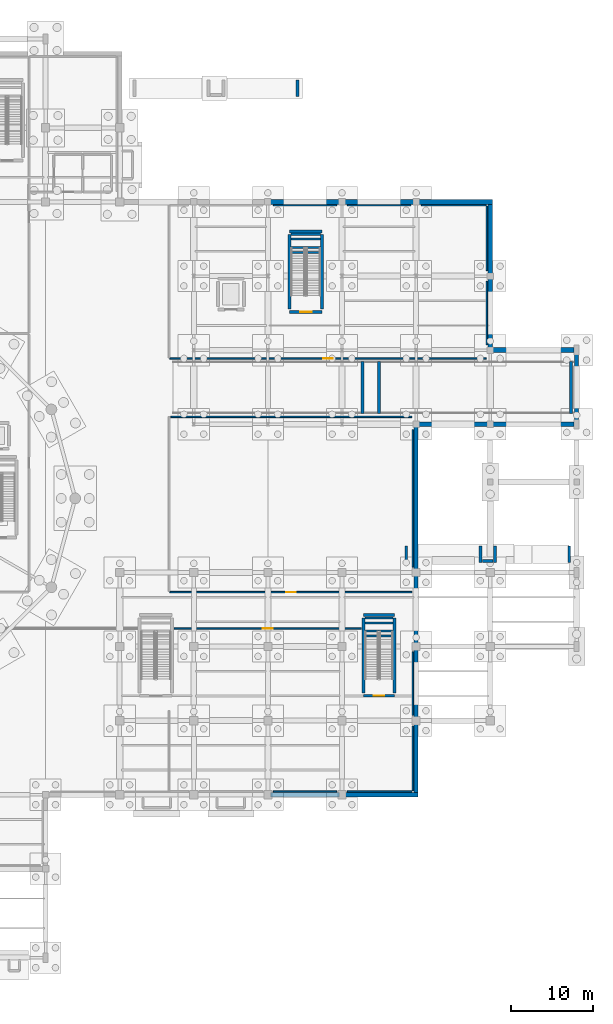
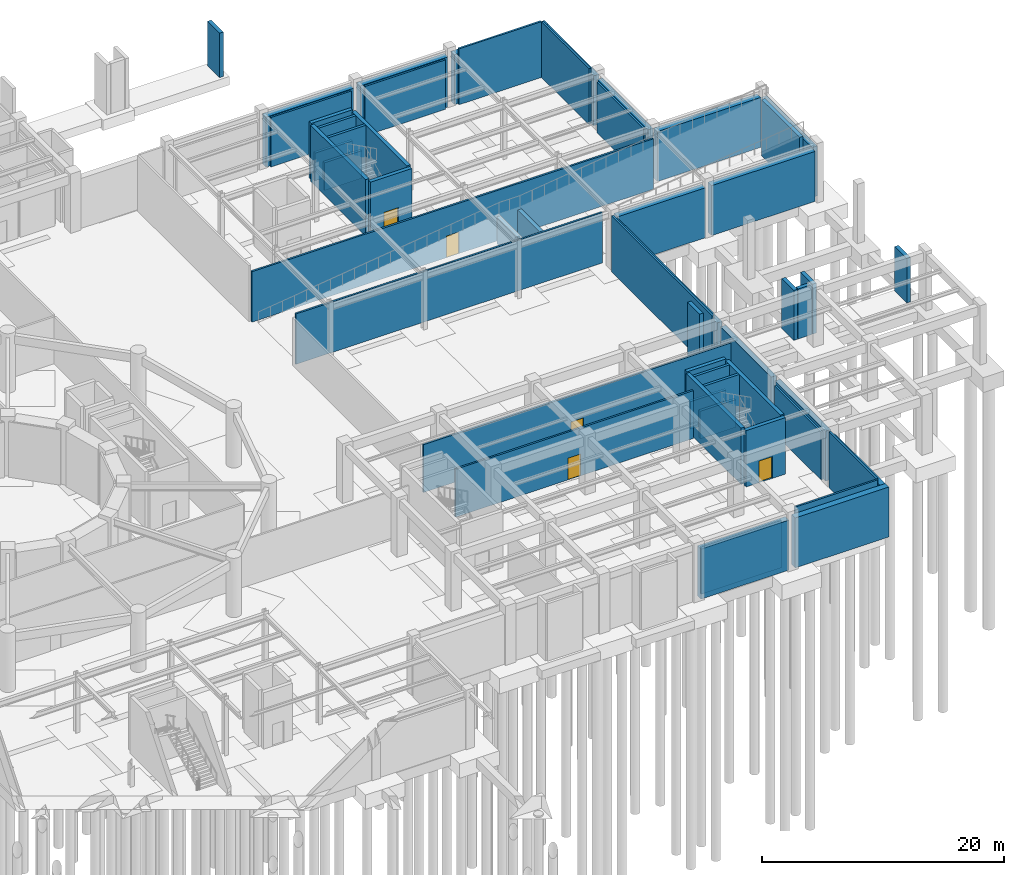
# One storey, part 23 of 36: 54 walls, 5 doors, 5 openings.
"""IFC4 building model written with IfcOpenShell, lengths in metres."""

from ifc_helpers import new_model, si_unit, direction, frame, frame_2d, origin, place, context, subcontext, project, spatial, rectangle, extrude, material, layer, layer_set, type_object, element, fill, save


model = new_model("IFC4")

# Units and contexts
model_context = context("Model", 3, precision=1e-05, world=origin(), true_north=direction((0.0, 1.0)))
body_context = subcontext(model_context, "Body", "Model", "MODEL_VIEW")
ifc_project = project(units=[si_unit("LENGTHUNIT", "METRE"), si_unit("AREAUNIT", "SQUARE_METRE"), si_unit("VOLUMEUNIT", "CUBIC_METRE"), si_unit("PLANEANGLEUNIT", "RADIAN"), si_unit("MASSUNIT", "GRAM", prefix="KILO")], contexts=[model_context])

# Site, building, storey
site_placement = place(None, origin())
site = spatial("IfcSite", under=ifc_project, at=site_placement, CompositionType="ELEMENT")
building_placement = place(site_placement, origin())
building = spatial("IfcBuilding", under=site, at=building_placement, Name="Haizhuo Lancet Aquarium", CompositionType="ELEMENT")
storey_placement = place(building_placement, frame((0.0, 0.0, -6.0)))
storey = spatial("IfcBuildingStorey", under=building, at=storey_placement, Name="B1", CompositionType="ELEMENT", Elevation=-6.0)

# Wall, opening, door
ifc_material_1 = material(Name="Concrete C40/50", Category="concrete")
ifc_layer_1 = layer(ifc_material_1, 0.179931640625)
ifc_layer_set_1 = layer_set([ifc_layer_1], Name="Concrete C40/50")
wall_type_1 = type_object("IfcWallType", Name="IWL-LAB-180", PredefinedType="PARTITIONING", material=ifc_layer_set_1)
wall_1_placement = place(storey_placement, frame((33.10009765625, -11.39990234375, 0.0), z_axis=(0.0, 0.0, 1.0), x_axis=(1.0, 0.0, 0.0)))
wall_1 = element("IfcWall", 1, at=wall_1_placement, inside=storey, type_object=wall_type_1, Name="B1 partition wall 46", PredefinedType="PARTITIONING", context=body_context, shape_type="SweptSolid", body=[
    extrude(rectangle(XDim=29.39990234375, YDim=0.179931640625, at=frame_2d((14.699951171875, 0.0))), origin(), (0.0, 0.0, 1.0), 4.8349609375),
])
opening_1_placement = place(wall_1_placement, frame((14.10009765625, 0.0, 0.0)))
opening_1 = element("IfcOpeningElement", 2, at=opening_1_placement, cuts=wall_1, Name="Opening D-04", PredefinedType="OPENING", context=body_context, shape_type="SweptSolid", body=[
    extrude(rectangle(XDim=1.199951171875, YDim=2.199951171875, at=frame_2d((0.60009765625, 1.10009765625))), frame((0.0, 0.099853515625, 0.0), z_axis=(0.0, -1.0, 0.0), x_axis=(1.0, 0.0, 0.0)), (0.0, 0.0, 1.0), 0.199932),
])
ifc_material_2 = material(Name="Steel S355", Category="steel")
door_type_1 = type_object("IfcDoorType", Name="IDR-LAB-1200x2200", OperationType="NOTDEFINED", PredefinedType="DOOR", material=ifc_material_2)
door_1_placement = place(opening_1_placement, origin())
door_1 = element("IfcDoor", 3, at=door_1_placement, inside=storey, type_object=door_type_1, Name="B1 Biological Filtration and Protein Skimmer Hall door", OperationType="SINGLE_SWING_LEFT", OverallHeight=2.199951171875, OverallWidth=1.199951171875, PredefinedType="DOOR", context=body_context, shape_type="SweptSolid", body=[
    extrude(rectangle(XDim=1.199951171875, YDim=2.199951171875, at=frame_2d((0.60009765625, 1.10009765625))), frame((0.0, 0.02490234375, 0.0), z_axis=(0.0, -1.0, 0.0), x_axis=(1.0, 0.0, 0.0)), (0.0, 0.0, 1.0), 0.050048828125),
])
fill(opening_1, door_1)

# Walls
wall_2_placement = place(storey_placement, frame((62.60009765625, -8.35009765625, 0.0), z_axis=(0.0, 0.0, 1.0), x_axis=(0.0, 1.0, 0.0)))
element("IfcWall", 4, at=wall_2_placement, inside=storey, type_object=wall_type_1, Name="B1 partition wall 47", PredefinedType="PARTITIONING", context=body_context, shape_type="SweptSolid", body=[
    extrude(rectangle(XDim=16.7001953125, YDim=0.179931640625, at=frame_2d((8.35009765625, 0.0))), origin(), (0.0, 0.0, 1.0), 5.64990234375),
])
wall_3_placement = place(storey_placement, frame((62.5, 9.89990234375, 0.0), z_axis=(0.0, 0.0, 1.0), x_axis=(-1.0, 0.0, 0.0)))
element("IfcWall", 5, at=wall_3_placement, inside=storey, type_object=wall_type_1, Name="B1 partition wall 48", PredefinedType="PARTITIONING", context=body_context, shape_type="SweptSolid", body=[
    extrude(rectangle(XDim=29.298095703125, YDim=0.179931640625, at=frame_2d((14.64892578125, 0.0))), origin(), (0.0, 0.0, 1.0), 5.096923828125),
])
wall_4_placement = place(storey_placement, frame((45.64990234375, -35.60009765625, 0.0), z_axis=(0.0, 0.0, 1.0), x_axis=(1.0, 0.0, 0.0)))
element("IfcWall", 6, at=wall_4_placement, inside=storey, type_object=wall_type_1, Name="B1 partition wall 52", PredefinedType="PARTITIONING", context=body_context, shape_type="SweptSolid", body=[
    extrude(rectangle(XDim=7.7001953125, YDim=0.179931640625, at=frame_2d((3.85009765625, 0.0))), origin(), (0.0, 0.0, 1.0), 4.784912109375),
])
for number, where, z_axis, x_axis, name in (
    (7, (54.64990234375, -35.60009765625, 0.0), (0.0, 0.0, 1.0), (1.0, 0.0, 0.0), "B1 partition wall 53"),
    (8, (62.60009765625, -35.5, 0.0), (0.0, 0.0, 1.0), (0.0, 1.0, 0.0), "B1 partition wall 54"),
):
    element("IfcWall", number, at=place(storey_placement, frame(where, z_axis=z_axis, x_axis=x_axis)), inside=storey, type_object=wall_type_1, Name=name, PredefinedType="PARTITIONING", context=body_context, shape_type="SweptSolid", body=[
        extrude(rectangle(XDim=7.85009765625, YDim=0.179931640625, at=frame_2d((3.925048828125, 0.0))), origin(), (0.0, 0.0, 1.0), 5.64990234375),
    ])
wall_5_placement = place(storey_placement, frame((62.60009765625, -26.35009765625, 0.0), z_axis=(0.0, 0.0, 1.0), x_axis=(0.0, 1.0, 0.0)))
element("IfcWall", 9, at=wall_5_placement, inside=storey, type_object=wall_type_1, Name="B1 partition wall 55", PredefinedType="PARTITIONING", context=body_context, shape_type="SweptSolid", body=[
    extrude(rectangle(XDim=7.7001953125, YDim=0.179931640625, at=frame_2d((3.85009765625, 0.0))), origin(), (0.0, 0.0, 1.0), 4.8349609375),
])

# Wall, opening, door
wall_6_placement = place(storey_placement, frame((56.35009765625, -15.800048828125, 0.0), z_axis=(0.0, 0.0, 1.0), x_axis=(-0.999999985232, -0.000171861906, 0.0)))
wall_6 = element("IfcWall", 10, at=wall_6_placement, inside=storey, type_object=wall_type_1, Name="B1 partition wall 56", PredefinedType="PARTITIONING", context=body_context, shape_type="SweptSolid", body=[
    extrude(rectangle(XDim=22.72900390625, YDim=0.179931640625, at=frame_2d((11.364501953125, 0.0))), origin(), (0.0, 0.0, 1.0), 4.8349609375),
])
opening_2_placement = place(wall_6_placement, frame((10.764892578125, 0.0, 0.0)))
opening_2 = element("IfcOpeningElement", 11, at=opening_2_placement, cuts=wall_6, Name="Opening D-04", PredefinedType="OPENING", context=body_context, shape_type="SweptSolid", body=[
    extrude(rectangle(XDim=1.199951171875, YDim=2.199951171875, at=frame_2d((0.60009765625, 1.10009765625))), frame((0.0, 0.099853515625, 0.0), z_axis=(0.0, -1.0, 0.0), x_axis=(1.0, 0.0, 0.0)), (0.0, 0.0, 1.0), 0.199932),
])
door_2_placement = place(opening_2_placement, origin())
door_2 = element("IfcDoor", 12, at=door_2_placement, inside=storey, type_object=door_type_1, Name="B1 Marine Quarantine Holding Suite door", OperationType="SINGLE_SWING_RIGHT", OverallHeight=2.199951171875, OverallWidth=1.199951171875, PredefinedType="DOOR", context=body_context, shape_type="SweptSolid", body=[
    extrude(rectangle(XDim=1.199951171875, YDim=2.199951171875, at=frame_2d((0.60009765625, 1.10009765625))), frame((0.0, 0.02490234375, 0.0), z_axis=(0.0, -1.0, 0.0), x_axis=(1.0, 0.0, 0.0)), (0.0, 0.0, 1.0), 0.050048828125),
])
fill(opening_2, door_2)

wall_7_placement = place(storey_placement, frame((33.10009765625, 17.0, 0.0), z_axis=(0.0, 0.0, 1.0), x_axis=(1.0, 0.0, 0.0)))
wall_7 = element("IfcWall", 13, at=wall_7_placement, inside=storey, type_object=wall_type_1, Name="B1 partition wall 59", PredefinedType="PARTITIONING", context=body_context, shape_type="SweptSolid", body=[
    extrude(rectangle(XDim=38.39990234375, YDim=0.179931640625, at=frame_2d((19.199951171875, 0.0))), origin(), (0.0, 0.0, 1.0), 5.096923828125),
])
opening_3_placement = place(wall_7_placement, frame((18.60009765625, 0.0, 0.0)))
opening_3 = element("IfcOpeningElement", 14, at=opening_3_placement, cuts=wall_7, Name="Opening D-04", PredefinedType="OPENING", context=body_context, shape_type="SweptSolid", body=[
    extrude(rectangle(XDim=1.199951171875, YDim=2.199951171875, at=frame_2d((0.60009765625, 1.10009765625))), frame((0.0, 0.099853515625, 0.0), z_axis=(0.0, -1.0, 0.0), x_axis=(1.0, 0.0, 0.0)), (0.0, 0.0, 1.0), 0.199932),
])
door_3_placement = place(opening_3_placement, origin())
door_3 = element("IfcDoor", 15, at=door_3_placement, inside=storey, type_object=door_type_1, Name="B1 Veterinary Husbandry Treatment Laboratory door", OperationType="SINGLE_SWING_LEFT", OverallHeight=2.199951171875, OverallWidth=1.199951171875, PredefinedType="DOOR", context=body_context, shape_type="SweptSolid", body=[
    extrude(rectangle(XDim=1.199951171875, YDim=2.199951171875, at=frame_2d((0.60009765625, 1.10009765625))), frame((0.0, 0.02490234375, 0.0), z_axis=(0.0, -1.0, 0.0), x_axis=(1.0, 0.0, 0.0)), (0.0, 0.0, 1.0), 0.050048828125),
])
fill(opening_3, door_3)

# Walls
wall_8_placement = place(storey_placement, frame((71.60009765625, 18.64990234375, 0.0), z_axis=(0.0, 0.0, 1.0), x_axis=(0.0, 1.0, 0.0)))
element("IfcWall", 16, at=wall_8_placement, inside=storey, type_object=wall_type_1, Name="B1 partition wall 60", PredefinedType="PARTITIONING", context=body_context, shape_type="SweptSolid", body=[
    extrude(rectangle(XDim=7.7001953125, YDim=0.179931640625, at=frame_2d((3.85009765625, 0.0))), origin(), (0.0, 0.0, 1.0), 5.0849609375),
])
for number, where, z_axis, x_axis, name in (
    (17, (71.60009765625, 27.64990234375, 0.0), (0.0, 0.0, 1.0), (0.0, 1.0, 0.0), "B1 partition wall 61"),
    (18, (71.5, 35.60009765625, 0.0), (0.0, 0.0, 1.0), (-1.0, 0.0, 0.0), "B1 partition wall 62"),
):
    element("IfcWall", number, at=place(storey_placement, frame(where, z_axis=z_axis, x_axis=x_axis)), inside=storey, type_object=wall_type_1, Name=name, PredefinedType="PARTITIONING", context=body_context, shape_type="SweptSolid", body=[
        extrude(rectangle(XDim=7.85009765625, YDim=0.179931640625, at=frame_2d((3.925048828125, 0.0))), origin(), (0.0, 0.0, 1.0), 5.64990234375),
    ])
for number, where, z_axis, x_axis, name in (
    (19, (62.35009765625, 35.60009765625, 0.0), (0.0, 0.0, 1.0), (-1.0, 0.0, 0.0), "B1 partition wall 63"),
    (20, (53.35009765625, 35.60009765625, 0.0), (0.0, 0.0, 1.0), (-1.0, 0.0, 0.0), "B1 partition wall 64"),
):
    element("IfcWall", number, at=place(storey_placement, frame(where, z_axis=z_axis, x_axis=x_axis)), inside=storey, type_object=wall_type_1, Name=name, PredefinedType="PARTITIONING", context=body_context, shape_type="SweptSolid", body=[
        extrude(rectangle(XDim=7.7001953125, YDim=0.179931640625, at=frame_2d((3.85009765625, 0.0))), origin(), (0.0, 0.0, 1.0), 4.9970703125),
    ])
ifc_layer_2 = layer(ifc_material_1, 0.35009765625)
ifc_layer_set_2 = layer_set([ifc_layer_2], Name="Concrete C40/50")
wall_type_2 = type_object("IfcWallType", Name="WL-CORE-350", PredefinedType="SHEAR", material=ifc_layer_set_2)
for number, where, z_axis, x_axis, name in (
    (21, (56.5, 10.300048828125, 0.0), (0.0, 0.0, 1.0), (0.0, 1.0, 0.0), "B1 vehicle ramp VR-01 support wall M1"),
    (22, (58.5, 10.300048828125, 0.0), (0.0, 0.0, 1.0), (0.0, 1.0, 0.0), "B1 vehicle ramp VR-01 support wall M2"),
):
    element("IfcWall", number, at=place(storey_placement, frame(where, z_axis=z_axis, x_axis=x_axis)), inside=storey, type_object=wall_type_2, Name=name, PredefinedType="SHEAR", context=body_context, shape_type="SweptSolid", body=[
        extrude(rectangle(XDim=6.300048828125, YDim=0.35009765625, at=frame_2d((3.14990234375, 0.0))), origin(), (0.0, 0.0, 1.0), 2.699951171875),
    ])
wall_9_placement = place(storey_placement, frame((81.800048828125, 10.300048828125, 0.0), z_axis=(0.0, 0.0, 1.0), x_axis=(0.0, 1.0, 0.0)))
element("IfcWall", 23, at=wall_9_placement, inside=storey, type_object=wall_type_2, Name="B1 vehicle ramp VR-01 support wall TOP", PredefinedType="SHEAR", context=body_context, shape_type="SweptSolid", body=[
    extrude(rectangle(XDim=6.300048828125, YDim=0.35009765625, at=frame_2d((3.14990234375, 0.0))), origin(), (0.0, 0.0, 1.0), 5.699951171875),
])
for number, where, z_axis, x_axis, name in (
    (24, (56.800048828125, -16.125, 0.0), (0.0, 0.0, 1.0), (1.0, 0.0, 0.0), "B1 ST-05 landing support wall"),
    (25, (56.800048828125, -14.52490234375, 0.0), (0.0, 0.0, 1.0), (1.0, 0.0, 0.0), "B1 ST-05 far landing support wall"),
):
    element("IfcWall", number, at=place(storey_placement, frame(where, z_axis=z_axis, x_axis=x_axis)), inside=storey, type_object=wall_type_2, Name=name, PredefinedType="SHEAR", context=body_context, shape_type="SweptSolid", body=[
        extrude(rectangle(XDim=3.39990234375, YDim=0.25, at=frame_2d((1.699951171875, 0.0))), origin(), (0.0, 0.0, 1.0), 2.800048828125),
    ])
for number, where, z_axis, x_axis, name in (
    (26, (56.800048828125, -16.72509765625, 0.0), (0.0, 0.0, 1.0), (1.0, 0.0, 0.0), "B1 ST-05 upper landing support wall UP1"),
    (27, (56.800048828125, -15.125, 0.0), (0.0, 0.0, 1.0), (1.0, 0.0, 0.0), "B1 ST-05 upper landing support wall UP2"),
):
    element("IfcWall", number, at=place(storey_placement, frame(where, z_axis=z_axis, x_axis=x_axis)), inside=storey, type_object=wall_type_2, Name=name, PredefinedType="SHEAR", context=body_context, shape_type="SweptSolid", body=[
        extrude(rectangle(XDim=3.39990234375, YDim=0.25, at=frame_2d((1.699951171875, 0.0))), origin(), (0.0, 0.0, 1.0), 5.699951171875),
    ])

# Wall, opening, door
wall_10_placement = place(storey_placement, frame((56.625, -23.97509765625, 0.0), z_axis=(0.0, 0.0, 1.0), x_axis=(1.0, 0.0, 0.0)))
wall_10 = element("IfcWall", 28, at=wall_10_placement, inside=storey, type_object=wall_type_2, Name="B1 ST-05 core shear wall S", PredefinedType="SHEAR", context=body_context, shape_type="SweptSolid", body=[
    extrude(rectangle(XDim=3.75, YDim=0.35009765625, at=frame_2d((1.875, 0.0))), origin(), (0.0, 0.0, 1.0), 5.699951171875),
])
opening_4_placement = place(wall_10_placement, frame((1.22509765625, 0.0, 0.0)))
opening_4 = element("IfcOpeningElement", 29, at=opening_4_placement, cuts=wall_10, Name="Opening FD-02", PredefinedType="OPENING", context=body_context, shape_type="SweptSolid", body=[
    extrude(rectangle(XDim=1.300048828125, YDim=2.199951171875, at=frame_2d((0.64990234375, 1.10009765625))), frame((0.0, 0.18505859375, 0.0), z_axis=(0.0, -1.0, 0.0), x_axis=(1.0, 0.0, 0.0)), (0.0, 0.0, 1.0), 0.370098),
])
door_type_2 = type_object("IfcDoorType", Name="IDR-STAIR-1300x2200", OperationType="NOTDEFINED", PredefinedType="DOOR", material=ifc_material_2)
door_4_placement = place(opening_4_placement, origin())
door_4 = element("IfcDoor", 30, at=door_4_placement, inside=storey, type_object=door_type_2, Name="B1 ST-05 stairwell fire door", OperationType="SINGLE_SWING_LEFT", OverallHeight=2.199951171875, OverallWidth=1.300048828125, PredefinedType="DOOR", context=body_context, shape_type="SweptSolid", body=[
    extrude(rectangle(XDim=1.300048828125, YDim=2.199951171875, at=frame_2d((0.64990234375, 1.10009765625))), frame((0.0, 0.02490234375, 0.0), z_axis=(0.0, -1.0, 0.0), x_axis=(1.0, 0.0, 0.0)), (0.0, 0.0, 1.0), 0.050048828125),
])
fill(opening_4, door_4)

# Walls
wall_11_placement = place(storey_placement, frame((56.625, -14.175048828125, 0.0), z_axis=(0.0, 0.0, 1.0), x_axis=(1.0, 0.0, 0.0)))
element("IfcWall", 31, at=wall_11_placement, inside=storey, type_object=wall_type_2, Name="B1 ST-05 core shear wall N", PredefinedType="SHEAR", context=body_context, shape_type="SweptSolid", body=[
    extrude(rectangle(XDim=3.75, YDim=0.35009765625, at=frame_2d((1.875, 0.0))), origin(), (0.0, 0.0, 1.0), 5.699951171875),
])
for number, where, z_axis, x_axis, name in (
    (32, (56.625, -23.625, 0.0), (0.0, 0.0, 1.0), (0.0, 1.0, 0.0), "B1 ST-05 core shear wall W"),
    (33, (60.375, -23.625, 0.0), (0.0, 0.0, 1.0), (0.0, 1.0, 0.0), "B1 ST-05 core shear wall E"),
):
    element("IfcWall", number, at=place(storey_placement, frame(where, z_axis=z_axis, x_axis=x_axis)), inside=storey, type_object=wall_type_2, Name=name, PredefinedType="SHEAR", context=body_context, shape_type="SweptSolid", body=[
        extrude(rectangle(XDim=9.10009765625, YDim=0.35009765625, at=frame_2d((4.550048828125, 0.0))), origin(), (0.0, 0.0, 1.0), 5.699951171875),
    ])
for number, where, z_axis, x_axis, name in (
    (34, (47.800048828125, 30.47509765625, 0.0), (0.0, 0.0, 1.0), (1.0, 0.0, 0.0), "B1 ST-10 landing support wall"),
    (35, (47.800048828125, 32.074951171875, 0.0), (0.0, 0.0, 1.0), (1.0, 0.0, 0.0), "B1 ST-10 far landing support wall"),
):
    element("IfcWall", number, at=place(storey_placement, frame(where, z_axis=z_axis, x_axis=x_axis)), inside=storey, type_object=wall_type_2, Name=name, PredefinedType="SHEAR", context=body_context, shape_type="SweptSolid", body=[
        extrude(rectangle(XDim=3.599853515625, YDim=0.25, at=frame_2d((1.7998046875, 0.0))), origin(), (0.0, 0.0, 1.0), 2.800048828125),
    ])
for number, where, z_axis, x_axis, name in (
    (36, (47.800048828125, 29.875, 0.0), (0.0, 0.0, 1.0), (1.0, 0.0, 0.0), "B1 ST-10 upper landing support wall UP1"),
    (37, (47.800048828125, 31.47509765625, 0.0), (0.0, 0.0, 1.0), (1.0, 0.0, 0.0), "B1 ST-10 upper landing support wall UP2"),
):
    element("IfcWall", number, at=place(storey_placement, frame(where, z_axis=z_axis, x_axis=x_axis)), inside=storey, type_object=wall_type_2, Name=name, PredefinedType="SHEAR", context=body_context, shape_type="SweptSolid", body=[
        extrude(rectangle(XDim=3.599853515625, YDim=0.25, at=frame_2d((1.7998046875, 0.0))), origin(), (0.0, 0.0, 1.0), 5.699951171875),
    ])

# Wall, opening, door
wall_12_placement = place(storey_placement, frame((47.625, 22.625, 0.0), z_axis=(0.0, 0.0, 1.0), x_axis=(1.0, 0.0, 0.0)))
wall_12 = element("IfcWall", 38, at=wall_12_placement, inside=storey, type_object=wall_type_2, Name="B1 ST-10 core shear wall S", PredefinedType="SHEAR", context=body_context, shape_type="SweptSolid", body=[
    extrude(rectangle(XDim=3.949951171875, YDim=0.35009765625, at=frame_2d((1.97509765625, 0.0))), origin(), (0.0, 0.0, 1.0), 5.699951171875),
])
opening_5_placement = place(wall_12_placement, frame((1.27490234375, 0.0, 0.0)))
opening_5 = element("IfcOpeningElement", 39, at=opening_5_placement, cuts=wall_12, Name="Opening FD-01", PredefinedType="OPENING", context=body_context, shape_type="SweptSolid", body=[
    extrude(rectangle(XDim=1.39990234375, YDim=2.199951171875, at=frame_2d((0.699951171875, 1.10009765625))), frame((0.0, 0.18505859375, 0.0), z_axis=(0.0, -1.0, 0.0), x_axis=(1.0, 0.0, 0.0)), (0.0, 0.0, 1.0), 0.370098),
])
door_type_3 = type_object("IfcDoorType", Name="IDR-STAIR-1400x2200", OperationType="NOTDEFINED", PredefinedType="DOOR", material=ifc_material_2)
door_5_placement = place(opening_5_placement, origin())
door_5 = element("IfcDoor", 40, at=door_5_placement, inside=storey, type_object=door_type_3, Name="B1 ST-10 stairwell fire door", OperationType="SINGLE_SWING_RIGHT", OverallHeight=2.199951171875, OverallWidth=1.39990234375, PredefinedType="DOOR", context=body_context, shape_type="SweptSolid", body=[
    extrude(rectangle(XDim=1.39990234375, YDim=2.199951171875, at=frame_2d((0.699951171875, 1.10009765625))), frame((0.0, 0.02490234375, 0.0), z_axis=(0.0, -1.0, 0.0), x_axis=(1.0, 0.0, 0.0)), (0.0, 0.0, 1.0), 0.050048828125),
])
fill(opening_5, door_5)

# Walls
wall_13_placement = place(storey_placement, frame((47.625, 32.425048828125, 0.0), z_axis=(0.0, 0.0, 1.0), x_axis=(1.0, 0.0, 0.0)))
element("IfcWall", 41, at=wall_13_placement, inside=storey, type_object=wall_type_2, Name="B1 ST-10 core shear wall N", PredefinedType="SHEAR", context=body_context, shape_type="SweptSolid", body=[
    extrude(rectangle(XDim=3.949951171875, YDim=0.35009765625, at=frame_2d((1.97509765625, 0.0))), origin(), (0.0, 0.0, 1.0), 5.699951171875),
])
for number, where, z_axis, x_axis, name in (
    (42, (47.625, 22.97509765625, 0.0), (0.0, 0.0, 1.0), (0.0, 1.0, 0.0), "B1 ST-10 core shear wall W"),
    (43, (51.574951171875, 22.97509765625, 0.0), (0.0, 0.0, 1.0), (0.0, 1.0, 0.0), "B1 ST-10 core shear wall E"),
):
    element("IfcWall", number, at=place(storey_placement, frame(where, z_axis=z_axis, x_axis=x_axis)), inside=storey, type_object=wall_type_2, Name=name, PredefinedType="SHEAR", context=body_context, shape_type="SweptSolid", body=[
        extrude(rectangle(XDim=9.099853515625, YDim=0.35009765625, at=frame_2d((4.5498046875, 0.0))), origin(), (0.0, 0.0, 1.0), 5.699951171875),
    ])
wall_14_placement = place(storey_placement, frame((81.60009765625, -7.800048828125, 0.0), z_axis=(0.0, 0.0, 1.0), x_axis=(0.0, 1.0, 0.0)))
element("IfcWall", 44, at=wall_14_placement, inside=storey, type_object=wall_type_2, material=ifc_material_1, Name="East Avenue Accessible Plinth Ramp RMP-02 bearing wall BOT", PredefinedType="SOLIDWALL", context=body_context, shape_type="SweptSolid", body=[
    extrude(rectangle(XDim=2.0, YDim=0.35009765625, at=frame_2d((1.0, 0.0))), origin(), (0.0, 0.0, 1.0), 4.5),
])
for number, where, z_axis, x_axis, name in (
    (45, (72.60009765625, -7.800048828125, 0.0), (0.0, 0.0, 1.0), (0.0, 1.0, 0.0), "East Avenue Accessible Plinth Ramp RMP-02 bearing wall MID1"),
    (46, (70.800048828125, -7.800048828125, 0.0), (0.0, 0.0, 1.0), (0.0, 1.0, 0.0), "East Avenue Accessible Plinth Ramp RMP-02 bearing wall MID2"),
):
    element("IfcWall", number, at=place(storey_placement, frame(where, z_axis=z_axis, x_axis=x_axis)), inside=storey, type_object=wall_type_2, material=ifc_material_1, Name=name, PredefinedType="SOLIDWALL", context=body_context, shape_type="SweptSolid", body=[
        extrude(rectangle(XDim=2.0, YDim=0.35009765625, at=frame_2d((1.0, 0.0))), origin(), (0.0, 0.0, 1.0), 5.051025390625),
    ])
wall_15_placement = place(storey_placement, frame((71.050048828125, -7.625, 0.0), z_axis=(0.0, 0.0, 1.0), x_axis=(1.0, 0.0, 0.0)))
element("IfcWall", 47, at=wall_15_placement, inside=storey, type_object=wall_type_2, material=ifc_material_1, Name="East Avenue Accessible Plinth Ramp RMP-02 bearing wall SIDE", PredefinedType="SOLIDWALL", context=body_context, shape_type="SweptSolid", body=[
    extrude(rectangle(XDim=1.300048828125, YDim=0.35009765625, at=frame_2d((0.64990234375, 0.0))), origin(), (0.0, 0.0, 1.0), 5.050048828125),
])
wall_16_placement = place(storey_placement, frame((61.800048828125, -7.800048828125, 0.0), z_axis=(0.0, 0.0, 1.0), x_axis=(0.0, 1.0, 0.0)))
element("IfcWall", 48, at=wall_16_placement, inside=storey, type_object=wall_type_2, material=ifc_material_1, Name="East Avenue Accessible Plinth Ramp RMP-02 bearing wall TOP", PredefinedType="SOLIDWALL", context=body_context, shape_type="SweptSolid", body=[
    extrude(rectangle(XDim=2.0, YDim=0.35009765625, at=frame_2d((1.0, 0.0))), origin(), (0.0, 0.0, 1.0), 5.801025390625),
])
wall_17_placement = place(storey_placement, frame((48.60009765625, 48.800048828125, 0.0), z_axis=(0.0, 0.0, 1.0), x_axis=(0.0, 1.0, 0.0)))
element("IfcWall", 49, at=wall_17_placement, inside=storey, type_object=wall_type_2, material=ifc_material_1, Name="North Plaza Accessible Plinth Ramp RMP-04 bearing wall BOT", PredefinedType="SOLIDWALL", context=body_context, shape_type="SweptSolid", body=[
    extrude(rectangle(XDim=2.0, YDim=0.35009765625, at=frame_2d((1.0, 0.0))), origin(), (0.0, 0.0, 1.0), 4.5),
])
ifc_material_3 = material(Name="Concrete C45/55", Category="concrete")
ifc_layer_3 = layer(ifc_material_3, 0.5)
ifc_layer_set_3 = layer_set([ifc_layer_3], Name="Concrete C45/55")
wall_type_3 = type_object("IfcWallType", Name="WL-RET-500", PredefinedType="USERDEFINED", material=ifc_layer_set_3)
for number, where, z_axis, x_axis, name in (
    (50, (63.0, -35.699951171875, 0.0), (0.0, 0.0, 1.0), (0.0, 1.0, 0.0), "B1 waterproof perimeter retaining wall 6.1"),
    (51, (63.0, -26.699951171875, 0.0), (0.0, 0.0, 1.0), (0.0, 1.0, 0.0), "B1 waterproof perimeter retaining wall 6.2"),
    (52, (63.0, -17.699951171875, 0.0), (0.0, 0.0, 1.0), (0.0, 1.0, 0.0), "B1 waterproof perimeter retaining wall 6.3"),
):
    element("IfcWall", number, at=place(storey_placement, frame(where, z_axis=z_axis, x_axis=x_axis)), inside=storey, type_object=wall_type_3, Name=name, ObjectType="RETAININGWALL", PredefinedType="USERDEFINED", context=body_context, shape_type="SweptSolid", body=[
        extrude(rectangle(XDim=8.39990234375, YDim=0.5, at=frame_2d((4.199951171875, 0.0))), origin(), (0.0, 0.0, 1.0), 5.050048828125),
    ])
wall_18_placement = place(storey_placement, frame((63.0, -8.699951171875, 0.0), z_axis=(0.0, 0.0, 1.0), x_axis=(0.0, 1.0, 0.0)))
element("IfcWall", 53, at=wall_18_placement, inside=storey, type_object=wall_type_3, Name="B1 waterproof perimeter retaining wall 6.4", ObjectType="RETAININGWALL", PredefinedType="USERDEFINED", context=body_context, shape_type="SweptSolid", body=[
    extrude(rectangle(XDim=17.39990234375, YDim=0.5, at=frame_2d((8.699951171875, 0.0))), origin(), (0.0, 0.0, 1.0), 5.050048828125),
])
for number, where, z_axis, x_axis, name in (
    (54, (82.5, 9.300048828125, 0.0), (0.0, 0.0, 1.0), (0.0, 1.0, 0.0), "B1 waterproof perimeter retaining wall 8.1"),
    (55, (72.0, 18.300048828125, 0.0), (0.0, 0.0, 1.0), (0.0, 1.0, 0.0), "B1 waterproof perimeter retaining wall 10.1"),
    (56, (72.0, 27.300048828125, 0.0), (0.0, 0.0, 1.0), (0.0, 1.0, 0.0), "B1 waterproof perimeter retaining wall 10.2"),
):
    element("IfcWall", number, at=place(storey_placement, frame(where, z_axis=z_axis, x_axis=x_axis)), inside=storey, type_object=wall_type_3, Name=name, ObjectType="RETAININGWALL", PredefinedType="USERDEFINED", context=body_context, shape_type="SweptSolid", body=[
        extrude(rectangle(XDim=8.39990234375, YDim=0.5, at=frame_2d((4.199951171875, 0.0))), origin(), (0.0, 0.0, 1.0), 5.050048828125),
    ])
ifc_layer_4 = layer(ifc_material_3, 0.60009765625)
ifc_layer_set_4 = layer_set([ifc_layer_4], Name="Concrete C45/55")
wall_type_4 = type_object("IfcWallType", Name="WL-RET-600", PredefinedType="USERDEFINED", material=ifc_layer_set_4)
wall_19_placement = place(storey_placement, frame((45.300048828125, -36.0, 0.0), z_axis=(0.0, 0.0, 1.0), x_axis=(1.0, 0.0, 0.0)))
element("IfcWall", 57, at=wall_19_placement, inside=storey, type_object=wall_type_4, Name="B1 waterproof perimeter retaining wall 5.4", ObjectType="RETAININGWALL", PredefinedType="USERDEFINED", context=body_context, shape_type="SweptSolid", body=[
    extrude(rectangle(XDim=8.39990234375, YDim=0.60009765625, at=frame_2d((4.199951171875, 0.0))), origin(), (0.0, 0.0, 1.0), 5.050048828125),
])
wall_20_placement = place(storey_placement, frame((54.300048828125, -36.0, 0.0), z_axis=(0.0, 0.0, 1.0), x_axis=(1.0, 0.0, 0.0)))
element("IfcWall", 58, at=wall_20_placement, inside=storey, type_object=wall_type_4, Name="B1 waterproof perimeter retaining wall 5.5", ObjectType="RETAININGWALL", PredefinedType="USERDEFINED", context=body_context, shape_type="SweptSolid", body=[
    extrude(rectangle(XDim=8.949951171875, YDim=0.60009765625, at=frame_2d((4.47509765625, 0.0))), origin(), (0.0, 0.0, 1.0), 5.050048828125),
])
wall_21_placement = place(storey_placement, frame((63.300048828125, 9.0, 0.0), z_axis=(0.0, 0.0, 1.0), x_axis=(1.0, 0.0, 0.0)))
element("IfcWall", 59, at=wall_21_placement, inside=storey, type_object=wall_type_4, Name="B1 waterproof perimeter retaining wall 7.1", ObjectType="RETAININGWALL", PredefinedType="USERDEFINED", context=body_context, shape_type="SweptSolid", body=[
    extrude(rectangle(XDim=8.39990234375, YDim=0.60009765625, at=frame_2d((4.199951171875, 0.0))), origin(), (0.0, 0.0, 1.0), 5.050048828125),
])
for number, where, z_axis, x_axis, name in (
    (60, (72.300048828125, 9.0, 0.0), (0.0, 0.0, 1.0), (1.0, 0.0, 0.0), "B1 waterproof perimeter retaining wall 7.2"),
    (61, (82.199951171875, 18.0, 0.0), (0.0, 0.0, 1.0), (-1.0, 0.0, 0.0), "B1 waterproof perimeter retaining wall 9.1"),
):
    element("IfcWall", number, at=place(storey_placement, frame(where, z_axis=z_axis, x_axis=x_axis)), inside=storey, type_object=wall_type_4, Name=name, ObjectType="RETAININGWALL", PredefinedType="USERDEFINED", context=body_context, shape_type="SweptSolid", body=[
        extrude(rectangle(XDim=9.89990234375, YDim=0.60009765625, at=frame_2d((4.949951171875, 0.0))), origin(), (0.0, 0.0, 1.0), 5.050048828125),
    ])
wall_22_placement = place(storey_placement, frame((72.25, 36.0, 0.0), z_axis=(0.0, 0.0, 1.0), x_axis=(-1.0, 0.0, 0.0)))
element("IfcWall", 62, at=wall_22_placement, inside=storey, type_object=wall_type_4, Name="B1 waterproof perimeter retaining wall 11.1", ObjectType="RETAININGWALL", PredefinedType="USERDEFINED", context=body_context, shape_type="SweptSolid", body=[
    extrude(rectangle(XDim=8.949951171875, YDim=0.60009765625, at=frame_2d((4.47509765625, 0.0))), origin(), (0.0, 0.0, 1.0), 5.050048828125),
])
for number, where, z_axis, x_axis, name in (
    (63, (62.699951171875, 36.0, 0.0), (0.0, 0.0, 1.0), (-1.0, 0.0, 0.0), "B1 waterproof perimeter retaining wall 11.2"),
    (64, (53.699951171875, 36.0, 0.0), (0.0, 0.0, 1.0), (-1.0, 0.0, 0.0), "B1 waterproof perimeter retaining wall 11.3"),
):
    element("IfcWall", number, at=place(storey_placement, frame(where, z_axis=z_axis, x_axis=x_axis)), inside=storey, type_object=wall_type_4, Name=name, ObjectType="RETAININGWALL", PredefinedType="USERDEFINED", context=body_context, shape_type="SweptSolid", body=[
        extrude(rectangle(XDim=8.39990234375, YDim=0.60009765625, at=frame_2d((4.199951171875, 0.0))), origin(), (0.0, 0.0, 1.0), 5.050048828125),
    ])

save(model, "model.ifc")
